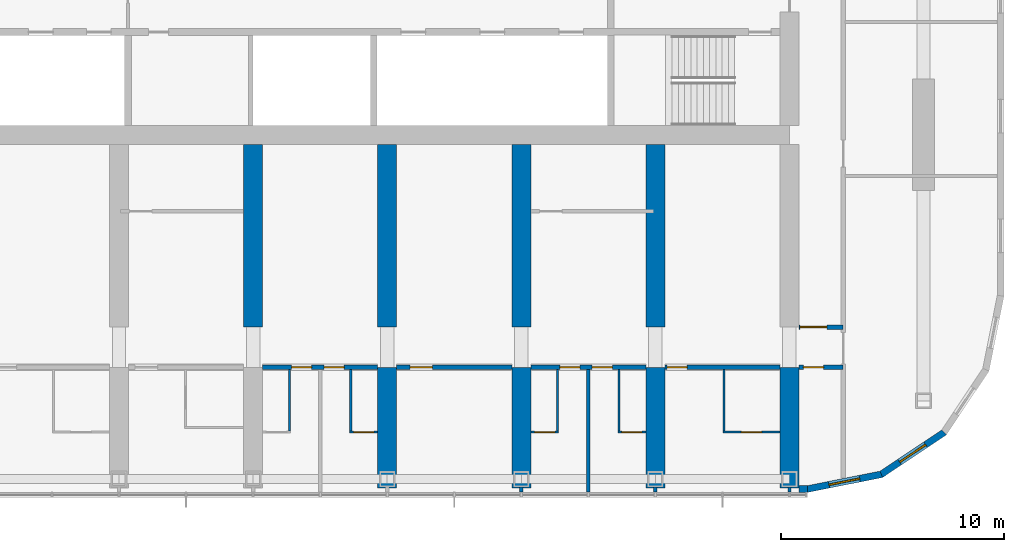
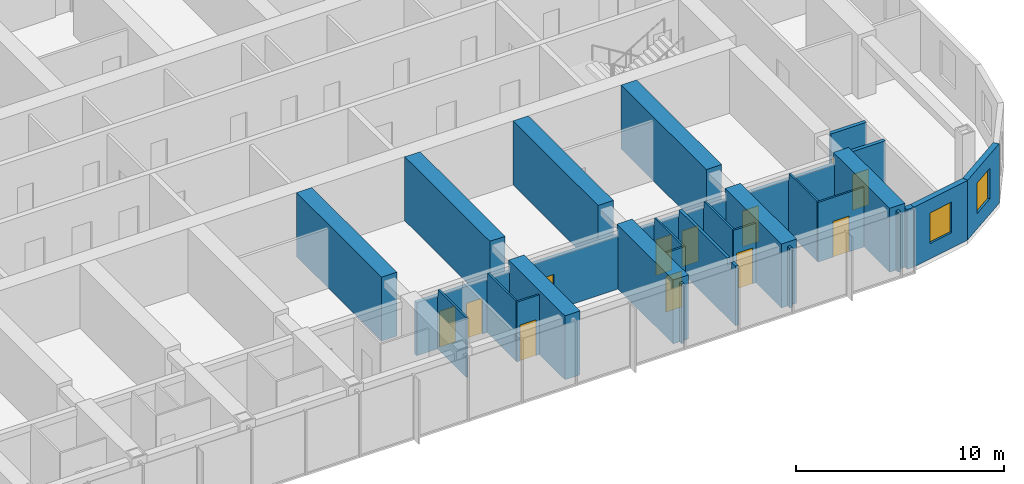
# One storey, part 12 of 22: 30 walls, 12 doors, 2 windows, 14 openings.
"""IFC4 building model written with IfcOpenShell, lengths in metres."""

from ifc_helpers import new_model, si_unit, direction, frame, frame_2d, origin, place, context, subcontext, project, spatial, polyline, rectangle, outline, extrude, material, layer, layer_set, type_object, element, fill, save


model = new_model("IFC4")

# Units and contexts
model_context = context("Model", 3, precision=1e-05, world=origin(), true_north=direction((0.0, 1.0)))
body_context = subcontext(model_context, "Body", "Model", "MODEL_VIEW")
ifc_project = project(units=[si_unit("LENGTHUNIT", "METRE"), si_unit("AREAUNIT", "SQUARE_METRE"), si_unit("VOLUMEUNIT", "CUBIC_METRE"), si_unit("PLANEANGLEUNIT", "RADIAN"), si_unit("MASSUNIT", "GRAM", prefix="KILO")], contexts=[model_context])

# Site, building, storey
site_placement = place(None, origin())
site = spatial("IfcSite", under=ifc_project, at=site_placement, CompositionType="ELEMENT")
building_placement = place(site_placement, origin())
building = spatial("IfcBuilding", under=site, at=building_placement, Name="Orbita Commons", CompositionType="ELEMENT")
storey_placement = place(building_placement, frame((0.0, 0.0, 167.35009765625)))
storey = spatial("IfcBuildingStorey", under=building, at=storey_placement, Name="L41", CompositionType="ELEMENT", Elevation=167.35009765625)

# Wall, openings, doors
ifc_material_1 = material(Name="Concrete blockwork", Category="masonry")
ifc_layer_1 = layer(ifc_material_1, 0.199951171875)
ifc_layer_set_1 = layer_set([ifc_layer_1], Name="Concrete blockwork")
wall_type_1 = type_object("IfcWallType", Name="Corridor wall 200 blockwork", PredefinedType="SOLIDWALL", material=ifc_layer_set_1)
wall_1_placement = place(storey_placement, frame((42.425048828125, 15.39990234375, 0.0), z_axis=(0.0, 0.0, 1.0), x_axis=(1.0, 0.0, 0.0)))
wall_1 = element("IfcWall", 1, at=wall_1_placement, inside=storey, type_object=wall_type_1, Name="Corridor wall 200 blockwork L41", PredefinedType="SOLIDWALL", context=body_context, shape_type="SweptSolid", body=[
    extrude(outline(polyline([(0.0, 0.0), (5.14990234375, 0.0), (5.14990234375, 3.099853515625), (0.0, 3.099853515625), (0.0, 0.0)])), frame((0.0, 0.10009765625, 0.0), z_axis=(0.0, -1.0, 0.0), x_axis=(1.0, 0.0, 0.0)), (0.0, 0.0, 1.0), 0.199951171875),
])
opening_1_placement = place(wall_1_placement, frame((1.300048828125, 0.0, 0.0)))
opening_1 = element("IfcOpeningElement", 2, at=opening_1_placement, cuts=wall_1, Name="Opening D11", PredefinedType="OPENING", context=body_context, shape_type="SweptSolid", body=[
    extrude(rectangle(XDim=0.89990234375, YDim=2.10009765625, at=frame_2d((0.449951171875, 1.050048828125))), frame((0.0, 0.10986328125, 0.0), z_axis=(0.0, -1.0, 0.0), x_axis=(1.0, 0.0, 0.0)), (0.0, 0.0, 1.0), 0.219970703125),
])
opening_2_placement = place(wall_1_placement, frame((2.75, 0.0, 0.0)))
opening_2 = element("IfcOpeningElement", 3, at=opening_2_placement, cuts=wall_1, Name="Opening D11", PredefinedType="OPENING", context=body_context, shape_type="SweptSolid", body=[
    extrude(rectangle(XDim=0.89990234375, YDim=2.10009765625, at=frame_2d((0.449951171875, 1.050048828125))), frame((0.0, 0.10986328125, 0.0), z_axis=(0.0, -1.0, 0.0), x_axis=(1.0, 0.0, 0.0)), (0.0, 0.0, 1.0), 0.219970703125),
])
ifc_material_2 = material(Name="Steel-faced fire door leaf", Category="steel")
door_type_1 = type_object("IfcDoorType", Name="Corridor door 20 min 900x2100", OperationType="SINGLE_SWING_LEFT", PredefinedType="DOOR", material=ifc_material_2)
door_1_placement = place(opening_1_placement, origin())
door_1 = element("IfcDoor", 4, at=door_1_placement, inside=storey, type_object=door_type_1, Name="Cluster bedroom L41-S08 door", OperationType="SINGLE_SWING_LEFT", OverallHeight=2.10009765625, OverallWidth=0.89990234375, PredefinedType="DOOR", context=body_context, shape_type="SweptSolid", body=[
    extrude(rectangle(XDim=0.89990234375, YDim=2.10009765625, at=frame_2d((0.449951171875, 1.050048828125))), frame((0.0, 0.02490234375, 0.0), z_axis=(0.0, -1.0, 0.0), x_axis=(1.0, 0.0, 0.0)), (0.0, 0.0, 1.0), 0.050048828125),
])
fill(opening_1, door_1)
door_2_placement = place(opening_2_placement, origin())
door_2 = element("IfcDoor", 5, at=door_2_placement, inside=storey, type_object=door_type_1, Name="Cluster bedroom L41-S09 door", OperationType="SINGLE_SWING_LEFT", OverallHeight=2.10009765625, OverallWidth=0.89990234375, PredefinedType="DOOR", context=body_context, shape_type="SweptSolid", body=[
    extrude(rectangle(XDim=0.89990234375, YDim=2.10009765625, at=frame_2d((0.449951171875, 1.050048828125))), frame((0.0, 0.02490234375, 0.0), z_axis=(0.0, -1.0, 0.0), x_axis=(1.0, 0.0, 0.0)), (0.0, 0.0, 1.0), 0.050048828125),
])
fill(opening_2, door_2)

# Wall, opening, door
wall_2_placement = place(storey_placement, frame((48.425048828125, 15.39990234375, 0.0), z_axis=(0.0, 0.0, 1.0), x_axis=(1.0, 0.0, 0.0)))
wall_2 = element("IfcWall", 6, at=wall_2_placement, inside=storey, type_object=wall_type_1, Name="Corridor wall 200 blockwork L41", PredefinedType="SOLIDWALL", context=body_context, shape_type="SweptSolid", body=[
    extrude(outline(polyline([(0.0, 0.0), (5.14990234375, 0.0), (5.14990234375, 3.099853515625), (0.0, 3.099853515625), (0.0, 0.0)])), frame((0.0, 0.10009765625, 0.0), z_axis=(0.0, -1.0, 0.0), x_axis=(1.0, 0.0, 0.0)), (0.0, 0.0, 1.0), 0.199951171875),
])
opening_3_placement = place(wall_2_placement, frame((0.60009765625, 0.0, 0.0)))
opening_3 = element("IfcOpeningElement", 7, at=opening_3_placement, cuts=wall_2, Name="Opening D06", PredefinedType="OPENING", context=body_context, shape_type="SweptSolid", body=[
    extrude(rectangle(XDim=1.0, YDim=2.10009765625, at=frame_2d((0.5, 1.050048828125))), frame((0.0, 0.10986328125, 0.0), z_axis=(0.0, -1.0, 0.0), x_axis=(1.0, 0.0, 0.0)), (0.0, 0.0, 1.0), 0.219970703125),
])
ifc_material_3 = material(Name="Steel-faced fire door leaf", Category="steel")
door_type_2 = type_object("IfcDoorType", Name="Corridor door 20 min 1000x2100", OperationType="SINGLE_SWING_LEFT", PredefinedType="DOOR", material=ifc_material_3)
door_3_placement = place(opening_3_placement, origin())
door_3 = element("IfcDoor", 8, at=door_3_placement, inside=storey, type_object=door_type_2, Name="Cluster kitchen-diner L41-S10 door", OperationType="SINGLE_SWING_LEFT", OverallHeight=2.10009765625, OverallWidth=1.0, PredefinedType="DOOR", context=body_context, shape_type="SweptSolid", body=[
    extrude(rectangle(XDim=1.0, YDim=2.10009765625, at=frame_2d((0.5, 1.050048828125))), frame((0.0, 0.02490234375, 0.0), z_axis=(0.0, -1.0, 0.0), x_axis=(1.0, 0.0, 0.0)), (0.0, 0.0, 1.0), 0.050048828125),
])
fill(opening_3, door_3)

# Wall, openings, doors
wall_3_placement = place(storey_placement, frame((54.425048828125, 15.39990234375, 0.0), z_axis=(0.0, 0.0, 1.0), x_axis=(1.0, 0.0, 0.0)))
wall_3 = element("IfcWall", 9, at=wall_3_placement, inside=storey, type_object=wall_type_1, Name="Corridor wall 200 blockwork L41", PredefinedType="SOLIDWALL", context=body_context, shape_type="SweptSolid", body=[
    extrude(outline(polyline([(0.0, 0.0), (5.14990234375, 0.0), (5.14990234375, 3.099853515625), (0.0, 3.099853515625), (0.0, 0.0)])), frame((0.0, 0.10009765625, 0.0), z_axis=(0.0, -1.0, 0.0), x_axis=(1.0, 0.0, 0.0)), (0.0, 0.0, 1.0), 0.199951171875),
])
opening_4_placement = place(wall_3_placement, frame((1.300048828125, 0.0, 0.0)))
opening_4 = element("IfcOpeningElement", 10, at=opening_4_placement, cuts=wall_3, Name="Opening D11", PredefinedType="OPENING", context=body_context, shape_type="SweptSolid", body=[
    extrude(rectangle(XDim=0.89990234375, YDim=2.10009765625, at=frame_2d((0.449951171875, 1.050048828125))), frame((0.0, 0.10986328125, 0.0), z_axis=(0.0, -1.0, 0.0), x_axis=(1.0, 0.0, 0.0)), (0.0, 0.0, 1.0), 0.219970703125),
])
opening_5_placement = place(wall_3_placement, frame((2.75, 0.0, 0.0)))
opening_5 = element("IfcOpeningElement", 11, at=opening_5_placement, cuts=wall_3, Name="Opening D11", PredefinedType="OPENING", context=body_context, shape_type="SweptSolid", body=[
    extrude(rectangle(XDim=0.89990234375, YDim=2.10009765625, at=frame_2d((0.449951171875, 1.050048828125))), frame((0.0, 0.10986328125, 0.0), z_axis=(0.0, -1.0, 0.0), x_axis=(1.0, 0.0, 0.0)), (0.0, 0.0, 1.0), 0.219970703125),
])
door_4_placement = place(opening_4_placement, origin())
door_4 = element("IfcDoor", 12, at=door_4_placement, inside=storey, type_object=door_type_1, Name="Cluster bedroom L41-S12 door", OperationType="SINGLE_SWING_LEFT", OverallHeight=2.10009765625, OverallWidth=0.89990234375, PredefinedType="DOOR", context=body_context, shape_type="SweptSolid", body=[
    extrude(rectangle(XDim=0.89990234375, YDim=2.10009765625, at=frame_2d((0.449951171875, 1.050048828125))), frame((0.0, 0.02490234375, 0.0), z_axis=(0.0, -1.0, 0.0), x_axis=(1.0, 0.0, 0.0)), (0.0, 0.0, 1.0), 0.050048828125),
])
fill(opening_4, door_4)
door_5_placement = place(opening_5_placement, origin())
door_5 = element("IfcDoor", 13, at=door_5_placement, inside=storey, type_object=door_type_1, Name="Cluster bedroom L41-S13 door", OperationType="SINGLE_SWING_LEFT", OverallHeight=2.10009765625, OverallWidth=0.89990234375, PredefinedType="DOOR", context=body_context, shape_type="SweptSolid", body=[
    extrude(rectangle(XDim=0.89990234375, YDim=2.10009765625, at=frame_2d((0.449951171875, 1.050048828125))), frame((0.0, 0.02490234375, 0.0), z_axis=(0.0, -1.0, 0.0), x_axis=(1.0, 0.0, 0.0)), (0.0, 0.0, 1.0), 0.050048828125),
])
fill(opening_5, door_5)

# Wall, opening, door
wall_4_placement = place(storey_placement, frame((60.425048828125, 15.39990234375, 0.0), z_axis=(0.0, 0.0, 1.0), x_axis=(1.0, 0.0, 0.0)))
wall_4 = element("IfcWall", 14, at=wall_4_placement, inside=storey, type_object=wall_type_1, Name="Corridor wall 200 blockwork L41", PredefinedType="SOLIDWALL", context=body_context, shape_type="SweptSolid", body=[
    extrude(outline(polyline([(0.0, 0.0), (5.14990234375, 0.0), (5.14990234375, 3.099853515625), (0.0, 3.099853515625), (0.0, 0.0)])), frame((0.0, 0.10009765625, 0.0), z_axis=(0.0, -1.0, 0.0), x_axis=(1.0, 0.0, 0.0)), (0.0, 0.0, 1.0), 0.199951171875),
])
opening_6_placement = place(wall_4_placement, frame((0.10009765625, 0.0, 0.0)))
opening_6 = element("IfcOpeningElement", 15, at=opening_6_placement, cuts=wall_4, Name="Opening D11", PredefinedType="OPENING", context=body_context, shape_type="SweptSolid", body=[
    extrude(rectangle(XDim=0.89990234375, YDim=2.10009765625, at=frame_2d((0.449951171875, 1.050048828125))), frame((0.0, 0.10986328125, 0.0), z_axis=(0.0, -1.0, 0.0), x_axis=(1.0, 0.0, 0.0)), (0.0, 0.0, 1.0), 0.219970703125),
])
door_6_placement = place(opening_6_placement, origin())
door_6 = element("IfcDoor", 16, at=door_6_placement, inside=storey, type_object=door_type_1, Name="Twin room L41-S14 door", OperationType="SINGLE_SWING_LEFT", OverallHeight=2.10009765625, OverallWidth=0.89990234375, PredefinedType="DOOR", context=body_context, shape_type="SweptSolid", body=[
    extrude(rectangle(XDim=0.89990234375, YDim=2.10009765625, at=frame_2d((0.449951171875, 1.050048828125))), frame((0.0, 0.02490234375, 0.0), z_axis=(0.0, -1.0, 0.0), x_axis=(1.0, 0.0, 0.0)), (0.0, 0.0, 1.0), 0.050048828125),
])
fill(opening_6, door_6)

wall_5_placement = place(storey_placement, frame((66.425048828125, 15.39990234375, 0.0), z_axis=(0.0, 0.0, 1.0), x_axis=(1.0, 0.0, 0.0)))
wall_5 = element("IfcWall", 17, at=wall_5_placement, inside=storey, type_object=wall_type_1, Name="Corridor wall 200 blockwork L41", PredefinedType="SOLIDWALL", context=body_context, shape_type="SweptSolid", body=[
    extrude(rectangle(XDim=1.974853515625, YDim=0.199951171875, at=frame_2d((0.9873046875, 0.0))), origin(), (0.0, 0.0, 1.0), 3.5),
])
opening_7_placement = place(wall_5_placement, frame((0.199951171875, 0.0, 0.0)))
opening_7 = element("IfcOpeningElement", 18, at=opening_7_placement, cuts=wall_5, Name="Opening D05", PredefinedType="OPENING", context=body_context, shape_type="SweptSolid", body=[
    extrude(rectangle(XDim=0.89990234375, YDim=2.10009765625, at=frame_2d((0.449951171875, 1.050048828125))), frame((0.0, 0.10986328125, 0.0), z_axis=(0.0, -1.0, 0.0), x_axis=(1.0, 0.0, 0.0)), (0.0, 0.0, 1.0), 0.219970703125),
])
ifc_material_4 = material(Name="Steel-faced fire door leaf", Category="steel")
door_type_3 = type_object("IfcDoorType", Name="Service door 20 min 900x2100", OperationType="SINGLE_SWING_LEFT", PredefinedType="DOOR", material=ifc_material_4)
door_7_placement = place(opening_7_placement, origin())
door_7 = element("IfcDoor", 19, at=door_7_placement, inside=storey, type_object=door_type_3, Name="Linen store L41-KES door", OperationType="SINGLE_SWING_LEFT", OverallHeight=2.10009765625, OverallWidth=0.89990234375, PredefinedType="DOOR", context=body_context, shape_type="SweptSolid", body=[
    extrude(rectangle(XDim=0.89990234375, YDim=2.10009765625, at=frame_2d((0.449951171875, 1.050048828125))), frame((0.0, 0.02490234375, 0.0), z_axis=(0.0, -1.0, 0.0), x_axis=(1.0, 0.0, 0.0)), (0.0, 0.0, 1.0), 0.050048828125),
])
fill(opening_7, door_7)

ifc_material_5 = material(Name="Hollow concrete block 200", Category="concrete")
ifc_layer_2 = layer(ifc_material_5, 0.199951171875)
ifc_layer_set_2 = layer_set([ifc_layer_2], Name="Hollow concrete block 200")
wall_type_2 = type_object("IfcWallType", Name="Corridor wall 200 hollow concrete block", PredefinedType="SOLIDWALL", material=ifc_layer_set_2)
wall_6_placement = place(storey_placement, frame((66.425048828125, 17.199951171875, 0.0), z_axis=(0.0, 0.0, 1.0), x_axis=(1.0, 0.0, 0.0)))
wall_6 = element("IfcWall", 20, at=wall_6_placement, inside=storey, type_object=wall_type_2, Name="Corridor wall 200 hollow concrete block L41", PredefinedType="SOLIDWALL", context=body_context, shape_type="SweptSolid", body=[
    extrude(rectangle(XDim=1.974853515625, YDim=0.199951171875, at=frame_2d((0.9873046875, 0.0))), origin(), (0.0, 0.0, 1.0), 3.5),
])
opening_8_placement = place(wall_6_placement, frame((0.050048828125, 0.0, 0.0)))
opening_8 = element("IfcOpeningElement", 21, at=opening_8_placement, cuts=wall_6, Name="Opening D12", PredefinedType="OPENING", context=body_context, shape_type="SweptSolid", body=[
    extrude(rectangle(XDim=1.199951171875, YDim=2.10009765625, at=frame_2d((0.60009765625, 1.050048828125))), frame((0.0, 0.10986328125, 0.0), z_axis=(0.0, -1.0, 0.0), x_axis=(1.0, 0.0, 0.0)), (0.0, 0.0, 1.0), 0.219970703125),
])
ifc_material_6 = material(Name="Steel-faced fire door leaf", Category="steel")
door_type_4 = type_object("IfcDoorType", Name="Double corridor door 20 min 1200x2100", OperationType="DOUBLE_DOOR_SINGLE_SWING", PredefinedType="DOOR", material=ifc_material_6)
door_8_placement = place(opening_8_placement, origin())
door_8 = element("IfcDoor", 22, at=door_8_placement, inside=storey, type_object=door_type_4, Name="Cross corridor doors", OperationType="DOUBLE_DOOR_SINGLE_SWING", OverallHeight=2.10009765625, OverallWidth=1.199951171875, PredefinedType="DOOR", context=body_context, shape_type="SweptSolid", body=[
    extrude(rectangle(XDim=1.199951171875, YDim=2.10009765625, at=frame_2d((0.60009765625, 1.050048828125))), frame((0.0, 0.02490234375, 0.0), z_axis=(0.0, -1.0, 0.0), x_axis=(1.0, 0.0, 0.0)), (0.0, 0.0, 1.0), 0.050048828125),
])
fill(opening_8, door_8)

# Walls
ifc_material_7 = material(Name="Concrete C50/60", Category="concrete")
ifc_layer_3 = layer(ifc_material_7, 0.85009765625)
ifc_layer_set_3 = layer_set([ifc_layer_3], Name="Concrete C50/60")
wall_type_3 = type_object("IfcWallType", Name="Cross wall 850 C50/60", PredefinedType="SHEAR", material=ifc_layer_set_3)
wall_7_placement = place(storey_placement, frame((42.0, 17.199951171875, 0.0), z_axis=(0.0, 0.0, 1.0), x_axis=(0.0, 1.0, 0.0)))
element("IfcWall", 23, at=wall_7_placement, inside=storey, type_object=wall_type_3, Name="Cross wall 8 south inner L41", PredefinedType="SHEAR", context=body_context, shape_type="SweptSolid", body=[
    extrude(rectangle(XDim=8.175048828125, YDim=0.85009765625, at=frame_2d((4.08740234375, 0.0))), origin(), (0.0, 0.0, 1.0), 3.75),
])
wall_8_placement = place(storey_placement, frame((48.0, 10.0, 0.0), z_axis=(0.0, 0.0, 1.0), x_axis=(0.0, 1.0, 0.0)))
element("IfcWall", 24, at=wall_8_placement, inside=storey, type_object=wall_type_3, Name="Cross wall 9 south outer L41", PredefinedType="SHEAR", context=body_context, shape_type="SweptSolid", body=[
    extrude(rectangle(XDim=5.39990234375, YDim=0.85009765625, at=frame_2d((2.699951171875, 0.0))), origin(), (0.0, 0.0, 1.0), 3.75),
])
wall_9_placement = place(storey_placement, frame((48.0, 17.199951171875, 0.0), z_axis=(0.0, 0.0, 1.0), x_axis=(0.0, 1.0, 0.0)))
element("IfcWall", 25, at=wall_9_placement, inside=storey, type_object=wall_type_3, Name="Cross wall 9 south inner L41", PredefinedType="SHEAR", context=body_context, shape_type="SweptSolid", body=[
    extrude(rectangle(XDim=8.175048828125, YDim=0.85009765625, at=frame_2d((4.08740234375, 0.0))), origin(), (0.0, 0.0, 1.0), 3.75),
])
wall_10_placement = place(storey_placement, frame((54.0, 10.0, 0.0), z_axis=(0.0, 0.0, 1.0), x_axis=(0.0, 1.0, 0.0)))
element("IfcWall", 26, at=wall_10_placement, inside=storey, type_object=wall_type_3, Name="Cross wall 10 south outer L41", PredefinedType="SHEAR", context=body_context, shape_type="SweptSolid", body=[
    extrude(rectangle(XDim=5.39990234375, YDim=0.85009765625, at=frame_2d((2.699951171875, 0.0))), origin(), (0.0, 0.0, 1.0), 3.75),
])
wall_11_placement = place(storey_placement, frame((54.0, 17.199951171875, 0.0), z_axis=(0.0, 0.0, 1.0), x_axis=(0.0, 1.0, 0.0)))
element("IfcWall", 27, at=wall_11_placement, inside=storey, type_object=wall_type_3, Name="Cross wall 10 south inner L41", PredefinedType="SHEAR", context=body_context, shape_type="SweptSolid", body=[
    extrude(rectangle(XDim=8.175048828125, YDim=0.85009765625, at=frame_2d((4.08740234375, 0.0))), origin(), (0.0, 0.0, 1.0), 3.75),
])
wall_12_placement = place(storey_placement, frame((60.0, 10.0, 0.0), z_axis=(0.0, 0.0, 1.0), x_axis=(0.0, 1.0, 0.0)))
element("IfcWall", 28, at=wall_12_placement, inside=storey, type_object=wall_type_3, Name="Cross wall 11 south outer L41", PredefinedType="SHEAR", context=body_context, shape_type="SweptSolid", body=[
    extrude(rectangle(XDim=5.39990234375, YDim=0.85009765625, at=frame_2d((2.699951171875, 0.0))), origin(), (0.0, 0.0, 1.0), 3.75),
])
wall_13_placement = place(storey_placement, frame((60.0, 17.199951171875, 0.0), z_axis=(0.0, 0.0, 1.0), x_axis=(0.0, 1.0, 0.0)))
element("IfcWall", 29, at=wall_13_placement, inside=storey, type_object=wall_type_3, Name="Cross wall 11 south inner L41", PredefinedType="SHEAR", context=body_context, shape_type="SweptSolid", body=[
    extrude(rectangle(XDim=8.175048828125, YDim=0.85009765625, at=frame_2d((4.08740234375, 0.0))), origin(), (0.0, 0.0, 1.0), 3.75),
])
wall_14_placement = place(storey_placement, frame((66.0, 10.0, 0.0), z_axis=(0.0, 0.0, 1.0), x_axis=(0.0, 1.0, 0.0)))
element("IfcWall", 30, at=wall_14_placement, inside=storey, type_object=wall_type_3, Name="Cross wall 12 south outer L41", PredefinedType="SHEAR", context=body_context, shape_type="SweptSolid", body=[
    extrude(rectangle(XDim=5.39990234375, YDim=0.85009765625, at=frame_2d((2.699951171875, 0.0))), origin(), (0.0, 0.0, 1.0), 3.75),
])
ifc_material_8 = material(Name="Moisture-resistant plasterboard on steel studs", Category="steel")
ifc_layer_4 = layer(ifc_material_8, 0.10009765625)
ifc_layer_set_4 = layer_set([ifc_layer_4], Name="Moisture-resistant plasterboard on steel studs")
wall_type_4 = type_object("IfcWallType", Name="En-suite partition 100", PredefinedType="PARTITIONING", material=ifc_layer_set_4)
wall_15_placement = place(storey_placement, frame((43.625, 12.550048828125, 0.0), z_axis=(0.0, 0.0, 1.0), x_axis=(0.0, 1.0, 0.0)))
element("IfcWall", 31, at=wall_15_placement, inside=storey, type_object=wall_type_4, Name="En-suite partition 100 L41", PredefinedType="PARTITIONING", context=body_context, shape_type="SweptSolid", body=[
    extrude(outline(polyline([(0.0, 0.0), (2.75, 0.0), (2.75, 3.099853515625), (2.701904296875, 3.099853515625), (2.699951171875, 3.5), (0.0, 3.5), (0.0, 0.0)])), frame((0.0, 0.050048828125, 0.0), z_axis=(0.0, -1.0, 0.0), x_axis=(1.0, 0.0, 0.0)), (0.0, 0.0, 1.0), 0.10009765625),
])

# Wall, opening, door
wall_16_placement = place(storey_placement, frame((47.574951171875, 12.5, 0.0), z_axis=(0.0, 0.0, 1.0), x_axis=(-1.0, 0.0, 0.0)))
wall_16 = element("IfcWall", 32, at=wall_16_placement, inside=storey, type_object=wall_type_4, Name="En-suite partition 100 L41", PredefinedType="PARTITIONING", context=body_context, shape_type="SweptSolid", body=[
    extrude(rectangle(XDim=1.25, YDim=0.10009765625, at=frame_2d((0.625, 0.0))), origin(), (0.0, 0.0, 1.0), 3.5),
])
opening_9_placement = place(wall_16_placement, frame((0.175048828125, 0.0, 0.0)))
opening_9 = element("IfcOpeningElement", 33, at=opening_9_placement, cuts=wall_16, Name="Opening D09", PredefinedType="OPENING", context=body_context, shape_type="SweptSolid", body=[
    extrude(rectangle(XDim=0.89990234375, YDim=2.10009765625, at=frame_2d((0.449951171875, 1.050048828125))), frame((0.0, 0.06005859375, 0.0), z_axis=(0.0, -1.0, 0.0), x_axis=(1.0, 0.0, 0.0)), (0.0, 0.0, 1.0), 0.1201171875),
])
ifc_material_9 = material(Name="Laminated timber door leaf", Category="wood")
door_type_5 = type_object("IfcDoorType", Name="En-suite door 900x2100", OperationType="SINGLE_SWING_RIGHT", PredefinedType="DOOR", material=ifc_material_9)
door_9_placement = place(opening_9_placement, origin())
door_9 = element("IfcDoor", 34, at=door_9_placement, inside=storey, type_object=door_type_5, Name="En-suite L41-S09 door", OperationType="SINGLE_SWING_RIGHT", OverallHeight=2.10009765625, OverallWidth=0.89990234375, PredefinedType="DOOR", context=body_context, shape_type="SweptSolid", body=[
    extrude(rectangle(XDim=0.89990234375, YDim=2.10009765625, at=frame_2d((0.449951171875, 1.050048828125))), frame((0.0, 0.02490234375, 0.0), z_axis=(0.0, -1.0, 0.0), x_axis=(1.0, 0.0, 0.0)), (0.0, 0.0, 1.0), 0.050048828125),
])
fill(opening_9, door_9)

# Wall
wall_17_placement = place(storey_placement, frame((46.375, 12.550048828125, 0.0), z_axis=(0.0, 0.0, 1.0), x_axis=(0.0, 1.0, 0.0)))
element("IfcWall", 35, at=wall_17_placement, inside=storey, type_object=wall_type_4, Name="En-suite partition 100 L41", PredefinedType="PARTITIONING", context=body_context, shape_type="SweptSolid", body=[
    extrude(outline(polyline([(0.0, 0.0), (2.75, 0.0), (2.75, 3.099853515625), (2.701904296875, 3.099853515625), (2.699951171875, 3.5), (0.0, 3.5), (0.0, 0.0)])), frame((0.0, 0.050048828125, 0.0), z_axis=(0.0, -1.0, 0.0), x_axis=(1.0, 0.0, 0.0)), (0.0, 0.0, 1.0), 0.10009765625),
])

# Wall, opening, door
wall_18_placement = place(storey_placement, frame((55.675048828125, 12.5, 0.0), z_axis=(0.0, 0.0, 1.0), x_axis=(-1.0, 0.0, 0.0)))
wall_18 = element("IfcWall", 36, at=wall_18_placement, inside=storey, type_object=wall_type_4, Name="En-suite partition 100 L41", PredefinedType="PARTITIONING", context=body_context, shape_type="SweptSolid", body=[
    extrude(rectangle(XDim=1.25, YDim=0.10009765625, at=frame_2d((0.625, 0.0))), origin(), (0.0, 0.0, 1.0), 3.5),
])
opening_10_placement = place(wall_18_placement, frame((0.175048828125, 0.0, 0.0)))
opening_10 = element("IfcOpeningElement", 37, at=opening_10_placement, cuts=wall_18, Name="Opening D09", PredefinedType="OPENING", context=body_context, shape_type="SweptSolid", body=[
    extrude(rectangle(XDim=0.89990234375, YDim=2.10009765625, at=frame_2d((0.449951171875, 1.050048828125))), frame((0.0, 0.06005859375, 0.0), z_axis=(0.0, -1.0, 0.0), x_axis=(1.0, 0.0, 0.0)), (0.0, 0.0, 1.0), 0.1201171875),
])
door_10_placement = place(opening_10_placement, origin())
door_10 = element("IfcDoor", 38, at=door_10_placement, inside=storey, type_object=door_type_5, Name="En-suite L41-S12 door", OperationType="SINGLE_SWING_RIGHT", OverallHeight=2.10009765625, OverallWidth=0.89990234375, PredefinedType="DOOR", context=body_context, shape_type="SweptSolid", body=[
    extrude(rectangle(XDim=0.89990234375, YDim=2.10009765625, at=frame_2d((0.449951171875, 1.050048828125))), frame((0.0, 0.02490234375, 0.0), z_axis=(0.0, -1.0, 0.0), x_axis=(1.0, 0.0, 0.0)), (0.0, 0.0, 1.0), 0.050048828125),
])
fill(opening_10, door_10)

# Wall
wall_19_placement = place(storey_placement, frame((55.625, 12.550048828125, 0.0), z_axis=(0.0, 0.0, 1.0), x_axis=(0.0, 1.0, 0.0)))
element("IfcWall", 39, at=wall_19_placement, inside=storey, type_object=wall_type_4, Name="En-suite partition 100 L41", PredefinedType="PARTITIONING", context=body_context, shape_type="SweptSolid", body=[
    extrude(outline(polyline([(0.0, 0.0), (2.75, 0.0), (2.75, 3.099853515625), (2.701904296875, 3.099853515625), (2.699951171875, 3.5), (0.0, 3.5), (0.0, 0.0)])), frame((0.0, 0.050048828125, 0.0), z_axis=(0.0, -1.0, 0.0), x_axis=(1.0, 0.0, 0.0)), (0.0, 0.0, 1.0), 0.10009765625),
])

# Wall, opening, door
wall_20_placement = place(storey_placement, frame((59.574951171875, 12.5, 0.0), z_axis=(0.0, 0.0, 1.0), x_axis=(-1.0, 0.0, 0.0)))
wall_20 = element("IfcWall", 40, at=wall_20_placement, inside=storey, type_object=wall_type_4, Name="En-suite partition 100 L41", PredefinedType="PARTITIONING", context=body_context, shape_type="SweptSolid", body=[
    extrude(rectangle(XDim=1.25, YDim=0.10009765625, at=frame_2d((0.625, 0.0))), origin(), (0.0, 0.0, 1.0), 3.5),
])
opening_11_placement = place(wall_20_placement, frame((0.175048828125, 0.0, 0.0)))
opening_11 = element("IfcOpeningElement", 41, at=opening_11_placement, cuts=wall_20, Name="Opening D09", PredefinedType="OPENING", context=body_context, shape_type="SweptSolid", body=[
    extrude(rectangle(XDim=0.89990234375, YDim=2.10009765625, at=frame_2d((0.449951171875, 1.050048828125))), frame((0.0, 0.06005859375, 0.0), z_axis=(0.0, -1.0, 0.0), x_axis=(1.0, 0.0, 0.0)), (0.0, 0.0, 1.0), 0.1201171875),
])
door_11_placement = place(opening_11_placement, origin())
door_11 = element("IfcDoor", 42, at=door_11_placement, inside=storey, type_object=door_type_5, Name="En-suite L41-S13 door", OperationType="SINGLE_SWING_RIGHT", OverallHeight=2.10009765625, OverallWidth=0.89990234375, PredefinedType="DOOR", context=body_context, shape_type="SweptSolid", body=[
    extrude(rectangle(XDim=0.89990234375, YDim=2.10009765625, at=frame_2d((0.449951171875, 1.050048828125))), frame((0.0, 0.02490234375, 0.0), z_axis=(0.0, -1.0, 0.0), x_axis=(1.0, 0.0, 0.0)), (0.0, 0.0, 1.0), 0.050048828125),
])
fill(opening_11, door_11)

# Wall
wall_21_placement = place(storey_placement, frame((58.375, 12.550048828125, 0.0), z_axis=(0.0, 0.0, 1.0), x_axis=(0.0, 1.0, 0.0)))
element("IfcWall", 43, at=wall_21_placement, inside=storey, type_object=wall_type_4, Name="En-suite partition 100 L41", PredefinedType="PARTITIONING", context=body_context, shape_type="SweptSolid", body=[
    extrude(outline(polyline([(0.0, 0.0), (2.75, 0.0), (2.75, 3.099853515625), (2.701904296875, 3.099853515625), (2.699951171875, 3.5), (0.0, 3.5), (0.0, 0.0)])), frame((0.0, 0.050048828125, 0.0), z_axis=(0.0, -1.0, 0.0), x_axis=(1.0, 0.0, 0.0)), (0.0, 0.0, 1.0), 0.10009765625),
])

# Wall, opening, door
wall_22_placement = place(storey_placement, frame((65.574951171875, 12.5, 0.0), z_axis=(0.0, 0.0, 1.0), x_axis=(-1.0, 0.0, 0.0)))
wall_22 = element("IfcWall", 44, at=wall_22_placement, inside=storey, type_object=wall_type_4, Name="En-suite partition 100 L41", PredefinedType="PARTITIONING", context=body_context, shape_type="SweptSolid", body=[
    extrude(rectangle(XDim=2.550048828125, YDim=0.10009765625, at=frame_2d((1.27490234375, 0.0))), origin(), (0.0, 0.0, 1.0), 3.5),
])
opening_12_placement = place(wall_22_placement, frame((0.824951171875, 0.0, 0.0)))
opening_12 = element("IfcOpeningElement", 45, at=opening_12_placement, cuts=wall_22, Name="Opening D09", PredefinedType="OPENING", context=body_context, shape_type="SweptSolid", body=[
    extrude(rectangle(XDim=0.89990234375, YDim=2.10009765625, at=frame_2d((0.449951171875, 1.050048828125))), frame((0.0, 0.06005859375, 0.0), z_axis=(0.0, -1.0, 0.0), x_axis=(1.0, 0.0, 0.0)), (0.0, 0.0, 1.0), 0.1201171875),
])
door_12_placement = place(opening_12_placement, origin())
door_12 = element("IfcDoor", 46, at=door_12_placement, inside=storey, type_object=door_type_5, Name="En-suite L41-S14 door", OperationType="SINGLE_SWING_RIGHT", OverallHeight=2.10009765625, OverallWidth=0.89990234375, PredefinedType="DOOR", context=body_context, shape_type="SweptSolid", body=[
    extrude(rectangle(XDim=0.89990234375, YDim=2.10009765625, at=frame_2d((0.449951171875, 1.050048828125))), frame((0.0, 0.02490234375, 0.0), z_axis=(0.0, -1.0, 0.0), x_axis=(1.0, 0.0, 0.0)), (0.0, 0.0, 1.0), 0.050048828125),
])
fill(opening_12, door_12)

# Walls
wall_23_placement = place(storey_placement, frame((63.074951171875, 12.550048828125, 0.0), z_axis=(0.0, 0.0, 1.0), x_axis=(0.0, 1.0, 0.0)))
element("IfcWall", 47, at=wall_23_placement, inside=storey, type_object=wall_type_4, Name="En-suite partition 100 L41", PredefinedType="PARTITIONING", context=body_context, shape_type="SweptSolid", body=[
    extrude(outline(polyline([(0.0, 0.0), (2.75, 0.0), (2.75, 3.099853515625), (2.701904296875, 3.099853515625), (2.699951171875, 3.5), (0.0, 3.5), (0.0, 0.0)])), frame((0.0, 0.050048828125, 0.0), z_axis=(0.0, -1.0, 0.0), x_axis=(1.0, 0.0, 0.0)), (0.0, 0.0, 1.0), 0.10009765625),
])
ifc_material_10 = material(Name="Gypsum plasterboard on steel studs", Category="steel")
ifc_layer_5 = layer(ifc_material_10, 0.14990234375)
ifc_layer_set_5 = layer_set([ifc_layer_5], Name="Gypsum plasterboard on steel studs")
wall_type_5 = type_object("IfcWallType", Name="Partition 150 plasterboard", PredefinedType="PARTITIONING", material=ifc_layer_set_5)
for number, where, z_axis, x_axis, name in (
    (48, (54.0, 10.050048828125, 0.0), (0.0, 0.0, 1.0), (0.0, -1.0, 0.0), "Partition 150 plasterboard L41"),
    (49, (60.0, 10.050048828125, 0.0), (0.0, 0.0, 1.0), (0.0, -1.0, 0.0), "Partition 150 plasterboard L41"),
    (50, (66.0, 10.050048828125, 0.0), (0.0, 0.0, 1.0), (0.0, -1.0, 0.0), "Partition 150 plasterboard L41"),
):
    element("IfcWall", number, at=place(storey_placement, frame(where, z_axis=z_axis, x_axis=x_axis)), inside=storey, type_object=wall_type_5, Name=name, PredefinedType="PARTITIONING", context=body_context, shape_type="SweptSolid", body=[
        extrude(rectangle(XDim=0.239990234375, YDim=0.14990234375, at=frame_2d((0.1201171875, 0.0))), origin(), (0.0, 0.0, 1.0), 3.5),
    ])
ifc_material_11 = material(Name="Gypsum plasterboard on steel studs", Category="steel")
ifc_layer_6 = layer(ifc_material_11, 0.14990234375)
ifc_layer_set_6 = layer_set([ifc_layer_6], Name="Gypsum plasterboard on steel studs")
wall_type_6 = type_object("IfcWallType", Name="Party wall 150 plasterboard", PredefinedType="PARTITIONING", material=ifc_layer_set_6)
wall_24_placement = place(storey_placement, frame((57.0, 9.81005859375, 0.0), z_axis=(0.0, 0.0, 1.0), x_axis=(0.0, 1.0, 0.0)))
element("IfcWall", 51, at=wall_24_placement, inside=storey, type_object=wall_type_6, Name="Party wall 150 plasterboard L41", PredefinedType="PARTITIONING", context=body_context, shape_type="SweptSolid", body=[
    extrude(outline(polyline([(0.0, 0.0), (5.489990234375, 0.0), (5.489990234375, 3.099853515625), (5.44189453125, 3.099853515625), (5.43994140625, 3.5), (0.7919921875, 3.5), (0.7900390625, 3.099853515625), (0.39208984375, 3.099853515625), (0.389892578125, 3.5), (0.0, 3.5), (0.0, 0.0)])), frame((0.0, 0.074951171875, 0.0), z_axis=(0.0, -1.0, 0.0), x_axis=(1.0, 0.0, 0.0)), (0.0, 0.0, 1.0), 0.14990234375),
])

# Wall, opening, window
ifc_material_12 = material(Name="Precast concrete C40/50, white board-marked finish", Category="concrete")
ifc_layer_7 = layer(ifc_material_12, 0.300048828125)
ifc_layer_set_7 = layer_set([ifc_layer_7], Name="Precast concrete C40/50, white board-marked finish")
wall_type_7 = type_object("IfcWallType", Name="Precast concrete end shield 300", PredefinedType="SOLIDWALL", material=ifc_layer_set_7)
wall_25_placement = place(storey_placement, frame((66.800048828125, 9.949951171875, 0.0), z_axis=(0.0, 0.0, 1.0), x_axis=(0.98078325777, 0.195100490205, 0.0)))
wall_25 = element("IfcWall", 52, at=wall_25_placement, inside=storey, type_object=wall_type_7, Name="End shield SE chord 1 L41", PredefinedType="SOLIDWALL", context=body_context, shape_type="SweptSolid", body=[
    extrude(outline(polyline([(-0.02978515625, -0.14990234375), (3.40478515625, -0.14990234375), (3.34521484375, 0.14990234375), (0.02978515625, 0.14990234375), (-0.02978515625, -0.14990234375)])), origin(), (0.0, 0.0, 1.0), 3.5),
])
opening_13_placement = place(wall_25_placement, frame((0.987548828125, 0.0, 0.89990234375)))
opening_13 = element("IfcOpeningElement", 53, at=opening_13_placement, cuts=wall_25, Name="Opening W02", PredefinedType="OPENING", context=body_context, shape_type="SweptSolid", body=[
    extrude(rectangle(XDim=1.39990234375, YDim=1.800048828125, at=frame_2d((0.699951171875, 0.89990234375))), frame((0.0, 0.159912109375, 0.0), z_axis=(0.0, -1.0, 0.0), x_axis=(1.0, 0.0, 0.0)), (0.0, 0.0, 1.0), 0.320068359375),
])
ifc_material_13 = material(Name="Aluminium frame, clear double glazing", Category="aluminium")
window_type = type_object("IfcWindowType", Name="Deep-set window 1400x1800", PartitioningType="SINGLE_PANEL", PredefinedType="WINDOW", material=ifc_material_13)
window_1_placement = place(opening_13_placement, origin())
window_1 = element("IfcWindow", 54, at=window_1_placement, inside=storey, type_object=window_type, Name="Window L41-SE0", OverallHeight=1.800048828125, OverallWidth=1.39990234375, PartitioningType="SINGLE_PANEL", PredefinedType="WINDOW", context=body_context, shape_type="SweptSolid", body=[
    extrude(rectangle(XDim=1.39990234375, YDim=1.800048828125, at=frame_2d((0.699951171875, 0.89990234375))), frame((0.0, 0.030029296875, 0.0), z_axis=(0.0, -1.0, 0.0), x_axis=(1.0, 0.0, 0.0)), (0.0, 0.0, 1.0), 0.06005859375),
])
fill(opening_13, window_1)

wall_26_placement = place(storey_placement, frame((70.110107421875, 10.6083984375, 0.0), z_axis=(0.0, 0.0, 1.0), x_axis=(0.831493450887, 0.555534554399, 0.0)))
wall_26 = element("IfcWall", 55, at=wall_26_placement, inside=storey, type_object=wall_type_7, Name="End shield SE chord 2 L41", PredefinedType="SOLIDWALL", context=body_context, shape_type="SweptSolid", body=[
    extrude(outline(polyline([(-0.02978515625, -0.14990234375), (3.405029296875, -0.14990234375), (3.345458984375, 0.14990234375), (0.02978515625, 0.14990234375), (-0.02978515625, -0.14990234375)])), origin(), (0.0, 0.0, 1.0), 3.5),
])
opening_14_placement = place(wall_26_placement, frame((0.987548828125, 0.0, 0.89990234375)))
opening_14 = element("IfcOpeningElement", 56, at=opening_14_placement, cuts=wall_26, Name="Opening W02", PredefinedType="OPENING", context=body_context, shape_type="SweptSolid", body=[
    extrude(rectangle(XDim=1.39990234375, YDim=1.800048828125, at=frame_2d((0.699951171875, 0.89990234375))), frame((0.0, 0.159912109375, 0.0), z_axis=(0.0, -1.0, 0.0), x_axis=(1.0, 0.0, 0.0)), (0.0, 0.0, 1.0), 0.320068359375),
])
window_2_placement = place(opening_14_placement, origin())
window_2 = element("IfcWindow", 57, at=window_2_placement, inside=storey, type_object=window_type, Name="Window L41-SE1", OverallHeight=1.800048828125, OverallWidth=1.39990234375, PartitioningType="SINGLE_PANEL", PredefinedType="WINDOW", context=body_context, shape_type="SweptSolid", body=[
    extrude(rectangle(XDim=1.39990234375, YDim=1.800048828125, at=frame_2d((0.699951171875, 0.89990234375))), frame((0.0, 0.030029296875, 0.0), z_axis=(0.0, -1.0, 0.0), x_axis=(1.0, 0.0, 0.0)), (0.0, 0.0, 1.0), 0.06005859375),
])
fill(opening_14, window_2)

# Wall
wall_27_placement = place(storey_placement, frame((66.800048828125, 9.949951171875, 0.0), z_axis=(0.0, 0.0, 1.0), x_axis=(-1.0, 0.0, 0.0)))
element("IfcWall", 58, at=wall_27_placement, inside=storey, type_object=wall_type_7, Name="End shield SE closer L41", PredefinedType="SOLIDWALL", context=body_context, shape_type="SweptSolid", body=[
    extrude(rectangle(XDim=0.375, YDim=0.300048828125, at=frame_2d((0.1875, 0.0))), origin(), (0.0, 0.0, 1.0), 3.5),
])

save(model, "model.ifc")
